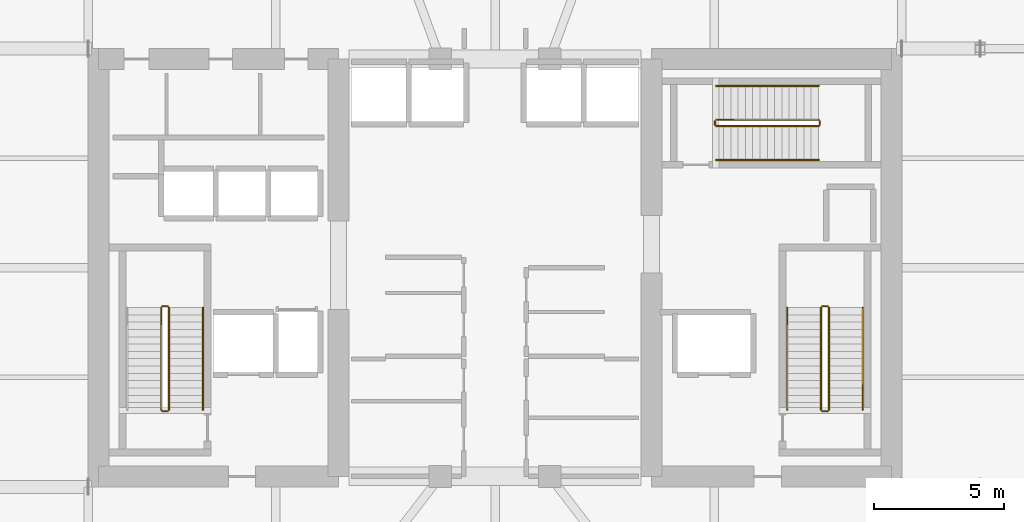
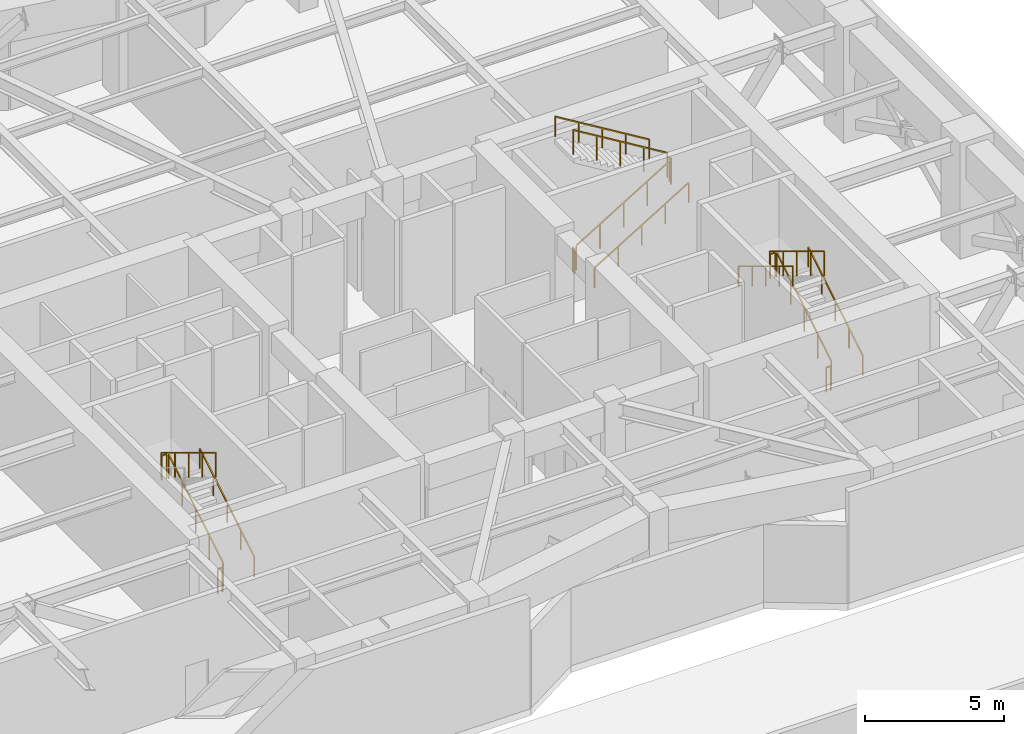
# One storey, part 16 of 16: 17 railings.
"""IFC4 building model written with IfcOpenShell, lengths in metres."""

from ifc_helpers import new_model, si_unit, direction, frame, origin, origin_2d, place, context, subcontext, project, spatial, rectangle, extrude, material, type_object, element, save


model = new_model("IFC4")

# Units and contexts
model_context = context("Model", 3, precision=1e-05, world=origin(), true_north=direction((0.0, 1.0)))
body_context = subcontext(model_context, "Body", "Model", "MODEL_VIEW")
ifc_project = project(units=[si_unit("LENGTHUNIT", "METRE"), si_unit("AREAUNIT", "SQUARE_METRE"), si_unit("VOLUMEUNIT", "CUBIC_METRE"), si_unit("PLANEANGLEUNIT", "RADIAN"), si_unit("MASSUNIT", "GRAM", prefix="KILO")], contexts=[model_context])

# Site, building, storey
site_placement = place(None, origin())
site = spatial("IfcSite", under=ifc_project, at=site_placement, CompositionType="ELEMENT")
building_placement = place(site_placement, origin())
building = spatial("IfcBuilding", under=site, at=building_placement, Name="Kiyonajd Concourse Tower", CompositionType="ELEMENT")
storey_placement = place(building_placement, frame((0.0, 0.0, 145.5)))
storey = spatial("IfcBuildingStorey", under=building, at=storey_placement, Name="L37", CompositionType="ELEMENT", Elevation=145.5)

# Railings
ifc_material_1 = material(Name="Steel ASTM A500 Grade C", Category="steel")
railing_type_1 = type_object("IfcRailingType", Name="RL-GRD-STR", PredefinedType="GUARDRAIL", material=ifc_material_1)
railing_1_placement = place(storey_placement, frame((35.5, 30.550048828125, 0.169921875)))
element("IfcRailing", 1, at=railing_1_placement, inside=storey, type_object=railing_type_1, Name="L37 ST1 stair guard 1", PredefinedType="GUARDRAIL", context=body_context, shape_type="SweptSolid", body=[
    extrude(rectangle(XDim=0.048095703125, YDim=0.048095703125, at=origin_2d()), frame((0.0, 0.0, 1.076171875), z_axis=(0.0, 0.854770645689, 0.519005918337), x_axis=(-1.0, 0.0, 0.0)), (0.0, 0.0, 1.0), 4.5859375),
    extrude(rectangle(XDim=0.0419921875, YDim=0.0419921875, at=origin_2d()), origin(), (0.0, 0.0, 1.0), 1.052001953125),
    extrude(rectangle(XDim=0.0419921875, YDim=0.0419921875, at=origin_2d()), frame((0.0, 0.97998046875, 0.594970703125)), (0.0, 0.0, 1.0), 1.052001953125),
    extrude(rectangle(XDim=0.0419921875, YDim=0.0419921875, at=origin_2d()), frame((0.0, 1.9599609375, 1.18994140625)), (0.0, 0.0, 1.0), 1.052001953125),
    extrude(rectangle(XDim=0.0419921875, YDim=0.0419921875, at=origin_2d()), frame((0.0, 2.93994140625, 1.78515625)), (0.0, 0.0, 1.0), 1.052001953125),
    extrude(rectangle(XDim=0.0419921875, YDim=0.0419921875, at=origin_2d()), frame((0.0, 3.919921875, 2.380126953125)), (0.0, 0.0, 1.0), 1.052001953125),
])
railing_2_placement = place(storey_placement, frame((35.449951171875, 34.52001953125, 2.550048828125)))
element("IfcRailing", 2, at=railing_2_placement, inside=storey, type_object=railing_type_1, Name="L37 ST1 stair guard 2", PredefinedType="GUARDRAIL", context=body_context, shape_type="SweptSolid", body=[
    extrude(rectangle(XDim=0.048095703125, YDim=0.048095703125, at=origin_2d()), frame((0.0, 0.0, 1.076171875), z_axis=(-1.0, 0.0, 0.0), x_axis=(0.0, -1.0, 0.0)), (0.0, 0.0, 1.0), 0.199951171875),
    extrude(rectangle(XDim=0.0419921875, YDim=0.0419921875, at=origin_2d()), origin(), (0.0, 0.0, 1.0), 1.052001953125),
    extrude(rectangle(XDim=0.0419921875, YDim=0.0419921875, at=origin_2d()), frame((-0.199951171875, 0.0, 0.0)), (0.0, 0.0, 1.0), 1.052001953125),
])
railing_3_placement = place(storey_placement, frame((35.199951171875, 34.469970703125, 2.719970703125)))
element("IfcRailing", 3, at=railing_3_placement, inside=storey, type_object=railing_type_1, Name="L37 ST1 stair guard 3", PredefinedType="GUARDRAIL", context=body_context, shape_type="SweptSolid", body=[
    extrude(rectangle(XDim=0.048095703125, YDim=0.048095703125, at=origin_2d()), frame((0.0, 0.0, 1.076171875), z_axis=(0.0, -0.854770645689, 0.519005918337), x_axis=(1.0, 0.0, 0.0)), (0.0, 0.0, 1.0), 4.5859375),
    extrude(rectangle(XDim=0.0419921875, YDim=0.0419921875, at=origin_2d()), origin(), (0.0, 0.0, 1.0), 1.052001953125),
    extrude(rectangle(XDim=0.0419921875, YDim=0.0419921875, at=origin_2d()), frame((0.0, -0.97998046875, 0.594970703125)), (0.0, 0.0, 1.0), 1.052001953125),
    extrude(rectangle(XDim=0.0419921875, YDim=0.0419921875, at=origin_2d()), frame((0.0, -1.9599609375, 1.18994140625)), (0.0, 0.0, 1.0), 1.052001953125),
    extrude(rectangle(XDim=0.0419921875, YDim=0.0419921875, at=origin_2d()), frame((0.0, -2.93994140625, 1.78515625)), (0.0, 0.0, 1.0), 1.052001953125),
    extrude(rectangle(XDim=0.0419921875, YDim=0.0419921875, at=origin_2d()), frame((0.0, -3.919921875, 2.380126953125)), (0.0, 0.0, 1.0), 1.052001953125),
])
railing_4_placement = place(storey_placement, frame((35.449951171875, 30.5, 0.0)))
element("IfcRailing", 4, at=railing_4_placement, inside=storey, type_object=railing_type_1, Name="L37 ST1 stair guard 4", PredefinedType="GUARDRAIL", context=body_context, shape_type="SweptSolid", body=[
    extrude(rectangle(XDim=0.048095703125, YDim=0.048095703125, at=origin_2d()), frame((0.0, 0.0, 1.076171875), z_axis=(-1.0, 0.0, 0.0), x_axis=(0.0, -1.0, 0.0)), (0.0, 0.0, 1.0), 0.199951171875),
    extrude(rectangle(XDim=0.0419921875, YDim=0.0419921875, at=origin_2d()), origin(), (0.0, 0.0, 1.0), 1.052001953125),
    extrude(rectangle(XDim=0.0419921875, YDim=0.0419921875, at=origin_2d()), frame((-0.199951171875, 0.0, 0.0)), (0.0, 0.0, 1.0), 1.052001953125),
])
railing_5_placement = place(storey_placement, frame((60.800048828125, 30.550048828125, 0.169921875)))
element("IfcRailing", 5, at=railing_5_placement, inside=storey, type_object=railing_type_1, Name="L37 ST2 stair guard 1", PredefinedType="GUARDRAIL", context=body_context, shape_type="SweptSolid", body=[
    extrude(rectangle(XDim=0.048095703125, YDim=0.048095703125, at=origin_2d()), frame((0.0, 0.0, 1.076171875), z_axis=(0.0, 0.854770645689, 0.519005918337), x_axis=(-1.0, 0.0, 0.0)), (0.0, 0.0, 1.0), 4.5859375),
    extrude(rectangle(XDim=0.0419921875, YDim=0.0419921875, at=origin_2d()), origin(), (0.0, 0.0, 1.0), 1.052001953125),
    extrude(rectangle(XDim=0.0419921875, YDim=0.0419921875, at=origin_2d()), frame((0.0, 0.97998046875, 0.594970703125)), (0.0, 0.0, 1.0), 1.052001953125),
    extrude(rectangle(XDim=0.0419921875, YDim=0.0419921875, at=origin_2d()), frame((0.0, 1.9599609375, 1.18994140625)), (0.0, 0.0, 1.0), 1.052001953125),
    extrude(rectangle(XDim=0.0419921875, YDim=0.0419921875, at=origin_2d()), frame((0.0, 2.93994140625, 1.78515625)), (0.0, 0.0, 1.0), 1.052001953125),
    extrude(rectangle(XDim=0.0419921875, YDim=0.0419921875, at=origin_2d()), frame((0.0, 3.919921875, 2.380126953125)), (0.0, 0.0, 1.0), 1.052001953125),
])
railing_6_placement = place(storey_placement, frame((60.75, 34.52001953125, 2.550048828125)))
element("IfcRailing", 6, at=railing_6_placement, inside=storey, type_object=railing_type_1, Name="L37 ST2 stair guard 2", PredefinedType="GUARDRAIL", context=body_context, shape_type="SweptSolid", body=[
    extrude(rectangle(XDim=0.048095703125, YDim=0.048095703125, at=origin_2d()), frame((0.0, 0.0, 1.076171875), z_axis=(-1.0, 0.0, 0.0), x_axis=(0.0, -1.0, 0.0)), (0.0, 0.0, 1.0), 0.199951171875),
    extrude(rectangle(XDim=0.0419921875, YDim=0.0419921875, at=origin_2d()), origin(), (0.0, 0.0, 1.0), 1.052001953125),
    extrude(rectangle(XDim=0.0419921875, YDim=0.0419921875, at=origin_2d()), frame((-0.199951171875, 0.0, 0.0)), (0.0, 0.0, 1.0), 1.052001953125),
])
railing_7_placement = place(storey_placement, frame((60.5, 34.469970703125, 2.719970703125)))
element("IfcRailing", 7, at=railing_7_placement, inside=storey, type_object=railing_type_1, Name="L37 ST2 stair guard 3", PredefinedType="GUARDRAIL", context=body_context, shape_type="SweptSolid", body=[
    extrude(rectangle(XDim=0.048095703125, YDim=0.048095703125, at=origin_2d()), frame((0.0, 0.0, 1.076171875), z_axis=(0.0, -0.854770645689, 0.519005918337), x_axis=(1.0, 0.0, 0.0)), (0.0, 0.0, 1.0), 4.5859375),
    extrude(rectangle(XDim=0.0419921875, YDim=0.0419921875, at=origin_2d()), origin(), (0.0, 0.0, 1.0), 1.052001953125),
    extrude(rectangle(XDim=0.0419921875, YDim=0.0419921875, at=origin_2d()), frame((0.0, -0.97998046875, 0.594970703125)), (0.0, 0.0, 1.0), 1.052001953125),
    extrude(rectangle(XDim=0.0419921875, YDim=0.0419921875, at=origin_2d()), frame((0.0, -1.9599609375, 1.18994140625)), (0.0, 0.0, 1.0), 1.052001953125),
    extrude(rectangle(XDim=0.0419921875, YDim=0.0419921875, at=origin_2d()), frame((0.0, -2.93994140625, 1.78515625)), (0.0, 0.0, 1.0), 1.052001953125),
    extrude(rectangle(XDim=0.0419921875, YDim=0.0419921875, at=origin_2d()), frame((0.0, -3.919921875, 2.380126953125)), (0.0, 0.0, 1.0), 1.052001953125),
])
railing_8_placement = place(storey_placement, frame((60.75, 30.5, 0.0)))
element("IfcRailing", 8, at=railing_8_placement, inside=storey, type_object=railing_type_1, Name="L37 ST2 stair guard 4", PredefinedType="GUARDRAIL", context=body_context, shape_type="SweptSolid", body=[
    extrude(rectangle(XDim=0.048095703125, YDim=0.048095703125, at=origin_2d()), frame((0.0, 0.0, 1.076171875), z_axis=(-1.0, 0.0, 0.0), x_axis=(0.0, -1.0, 0.0)), (0.0, 0.0, 1.0), 0.199951171875),
    extrude(rectangle(XDim=0.0419921875, YDim=0.0419921875, at=origin_2d()), origin(), (0.0, 0.0, 1.0), 1.052001953125),
    extrude(rectangle(XDim=0.0419921875, YDim=0.0419921875, at=origin_2d()), frame((-0.199951171875, 0.0, 0.0)), (0.0, 0.0, 1.0), 1.052001953125),
])
railing_9_placement = place(storey_placement, frame((56.47998046875, 41.429931640625, 0.169921875)))
element("IfcRailing", 9, at=railing_9_placement, inside=storey, type_object=railing_type_1, Name="L37 ST3 stair guard 1", PredefinedType="GUARDRAIL", context=body_context, shape_type="SweptSolid", body=[
    extrude(rectangle(XDim=0.048095703125, YDim=0.048095703125, at=origin_2d()), frame((0.0, 0.0, 1.076171875), z_axis=(0.854770645689, 0.0, 0.519005918337), x_axis=(0.0, 1.0, 0.0)), (0.0, 0.0, 1.0), 4.5859375),
    extrude(rectangle(XDim=0.0419921875, YDim=0.0419921875, at=origin_2d()), origin(), (0.0, 0.0, 1.0), 1.052001953125),
    extrude(rectangle(XDim=0.0419921875, YDim=0.0419921875, at=origin_2d()), frame((0.97998046875, 0.0, 0.594970703125)), (0.0, 0.0, 1.0), 1.052001953125),
    extrude(rectangle(XDim=0.0419921875, YDim=0.0419921875, at=origin_2d()), frame((1.9599609375, 0.0, 1.18994140625)), (0.0, 0.0, 1.0), 1.052001953125),
    extrude(rectangle(XDim=0.0419921875, YDim=0.0419921875, at=origin_2d()), frame((2.93994140625, 0.0, 1.78515625)), (0.0, 0.0, 1.0), 1.052001953125),
    extrude(rectangle(XDim=0.0419921875, YDim=0.0419921875, at=origin_2d()), frame((3.919921875, 0.0, 2.380126953125)), (0.0, 0.0, 1.0), 1.052001953125),
])
railing_10_placement = place(storey_placement, frame((60.449951171875, 41.47998046875, 2.550048828125)))
element("IfcRailing", 10, at=railing_10_placement, inside=storey, type_object=railing_type_1, Name="L37 ST3 stair guard 2", PredefinedType="GUARDRAIL", context=body_context, shape_type="SweptSolid", body=[
    extrude(rectangle(XDim=0.048095703125, YDim=0.048095703125, at=origin_2d()), frame((0.0, 0.0, 1.076171875), z_axis=(0.0, 1.0, 0.0), x_axis=(-1.0, 0.0, 0.0)), (0.0, 0.0, 1.0), 0.14013671875),
    extrude(rectangle(XDim=0.0419921875, YDim=0.0419921875, at=origin_2d()), origin(), (0.0, 0.0, 1.0), 1.052001953125),
    extrude(rectangle(XDim=0.0419921875, YDim=0.0419921875, at=origin_2d()), frame((0.0, 0.14013671875, 0.0)), (0.0, 0.0, 1.0), 1.052001953125),
])
railing_11_placement = place(storey_placement, frame((60.39990234375, 41.669921875, 2.719970703125)))
element("IfcRailing", 11, at=railing_11_placement, inside=storey, type_object=railing_type_1, Name="L37 ST3 stair guard 3", PredefinedType="GUARDRAIL", context=body_context, shape_type="SweptSolid", body=[
    extrude(rectangle(XDim=0.048095703125, YDim=0.048095703125, at=origin_2d()), frame((0.0, 0.0, 1.076171875), z_axis=(-0.854770645689, 0.0, 0.519005918337), x_axis=(0.0, -1.0, 0.0)), (0.0, 0.0, 1.0), 4.5859375),
    extrude(rectangle(XDim=0.0419921875, YDim=0.0419921875, at=origin_2d()), origin(), (0.0, 0.0, 1.0), 1.052001953125),
    extrude(rectangle(XDim=0.0419921875, YDim=0.0419921875, at=origin_2d()), frame((-0.97998046875, 0.0, 0.594970703125)), (0.0, 0.0, 1.0), 1.052001953125),
    extrude(rectangle(XDim=0.0419921875, YDim=0.0419921875, at=origin_2d()), frame((-1.9599609375, 0.0, 1.18994140625)), (0.0, 0.0, 1.0), 1.052001953125),
    extrude(rectangle(XDim=0.0419921875, YDim=0.0419921875, at=origin_2d()), frame((-2.93994140625, 0.0, 1.78515625)), (0.0, 0.0, 1.0), 1.052001953125),
    extrude(rectangle(XDim=0.0419921875, YDim=0.0419921875, at=origin_2d()), frame((-3.919921875, 0.0, 2.380126953125)), (0.0, 0.0, 1.0), 1.052001953125),
])
railing_12_placement = place(storey_placement, frame((56.429931640625, 41.47998046875, 0.0)))
element("IfcRailing", 12, at=railing_12_placement, inside=storey, type_object=railing_type_1, Name="L37 ST3 stair guard 4", PredefinedType="GUARDRAIL", context=body_context, shape_type="SweptSolid", body=[
    extrude(rectangle(XDim=0.048095703125, YDim=0.048095703125, at=origin_2d()), frame((0.0, 0.0, 1.076171875), z_axis=(0.0, 1.0, 0.0), x_axis=(-1.0, 0.0, 0.0)), (0.0, 0.0, 1.0), 0.14013671875),
    extrude(rectangle(XDim=0.0419921875, YDim=0.0419921875, at=origin_2d()), origin(), (0.0, 0.0, 1.0), 1.052001953125),
    extrude(rectangle(XDim=0.0419921875, YDim=0.0419921875, at=origin_2d()), frame((0.0, 0.14013671875, 0.0)), (0.0, 0.0, 1.0), 1.052001953125),
])
ifc_material_2 = material(Name="Brushed Stainless Steel Cab Assembly", Category="steel")
railing_type_2 = type_object("IfcRailingType", Name="RL-HND-900", PredefinedType="HANDRAIL", material=ifc_material_2)
for number, where, name in (
    (13, (36.800048828125, 30.550048828125, 0.169921875), "L37 ST1 stair handrail 1"),
    (14, (62.10009765625, 30.550048828125, 0.169921875), "L37 ST2 stair handrail 1"),
):
    element("IfcRailing", number, at=place(storey_placement, frame(where)), inside=storey, type_object=railing_type_2, Name=name, PredefinedType="HANDRAIL", context=body_context, shape_type="SweptSolid", body=[
        extrude(rectangle(XDim=0.048095703125, YDim=0.048095703125, at=origin_2d()), frame((0.0, 0.0, 0.8759765625), z_axis=(0.0, 0.854770645689, 0.519005918337), x_axis=(-1.0, 0.0, 0.0)), (0.0, 0.0, 1.0), 4.5859375),
        extrude(rectangle(XDim=0.0419921875, YDim=0.0419921875, at=origin_2d()), origin(), (0.0, 0.0, 1.0), 0.851806640625),
        extrude(rectangle(XDim=0.0419921875, YDim=0.0419921875, at=origin_2d()), frame((0.0, 0.97998046875, 0.594970703125)), (0.0, 0.0, 1.0), 0.851806640625),
        extrude(rectangle(XDim=0.0419921875, YDim=0.0419921875, at=origin_2d()), frame((0.0, 1.9599609375, 1.18994140625)), (0.0, 0.0, 1.0), 0.851806640625),
        extrude(rectangle(XDim=0.0419921875, YDim=0.0419921875, at=origin_2d()), frame((0.0, 2.93994140625, 1.78515625)), (0.0, 0.0, 1.0), 0.851806640625),
        extrude(rectangle(XDim=0.0419921875, YDim=0.0419921875, at=origin_2d()), frame((0.0, 3.919921875, 2.380126953125)), (0.0, 0.0, 1.0), 0.851806640625),
    ])
railing_13_placement = place(storey_placement, frame((59.199951171875, 34.469970703125, 2.719970703125)))
element("IfcRailing", 15, at=railing_13_placement, inside=storey, type_object=railing_type_2, Name="L37 ST2 stair handrail 2", PredefinedType="HANDRAIL", context=body_context, shape_type="SweptSolid", body=[
    extrude(rectangle(XDim=0.048095703125, YDim=0.048095703125, at=origin_2d()), frame((0.0, 0.0, 0.8759765625), z_axis=(0.0, -0.854770645689, 0.519005918337), x_axis=(1.0, 0.0, 0.0)), (0.0, 0.0, 1.0), 4.5859375),
    extrude(rectangle(XDim=0.0419921875, YDim=0.0419921875, at=origin_2d()), origin(), (0.0, 0.0, 1.0), 0.851806640625),
    extrude(rectangle(XDim=0.0419921875, YDim=0.0419921875, at=origin_2d()), frame((0.0, -0.97998046875, 0.594970703125)), (0.0, 0.0, 1.0), 0.851806640625),
    extrude(rectangle(XDim=0.0419921875, YDim=0.0419921875, at=origin_2d()), frame((0.0, -1.9599609375, 1.18994140625)), (0.0, 0.0, 1.0), 0.851806640625),
    extrude(rectangle(XDim=0.0419921875, YDim=0.0419921875, at=origin_2d()), frame((0.0, -2.93994140625, 1.78515625)), (0.0, 0.0, 1.0), 0.851806640625),
    extrude(rectangle(XDim=0.0419921875, YDim=0.0419921875, at=origin_2d()), frame((0.0, -3.919921875, 2.380126953125)), (0.0, 0.0, 1.0), 0.851806640625),
])
railing_14_placement = place(storey_placement, frame((56.47998046875, 40.1298828125, 0.169921875)))
element("IfcRailing", 16, at=railing_14_placement, inside=storey, type_object=railing_type_2, Name="L37 ST3 stair handrail 1", PredefinedType="HANDRAIL", context=body_context, shape_type="SweptSolid", body=[
    extrude(rectangle(XDim=0.048095703125, YDim=0.048095703125, at=origin_2d()), frame((0.0, 0.0, 0.8759765625), z_axis=(0.854770645689, 0.0, 0.519005918337), x_axis=(0.0, 1.0, 0.0)), (0.0, 0.0, 1.0), 4.5859375),
    extrude(rectangle(XDim=0.0419921875, YDim=0.0419921875, at=origin_2d()), origin(), (0.0, 0.0, 1.0), 0.851806640625),
    extrude(rectangle(XDim=0.0419921875, YDim=0.0419921875, at=origin_2d()), frame((0.97998046875, 0.0, 0.594970703125)), (0.0, 0.0, 1.0), 0.851806640625),
    extrude(rectangle(XDim=0.0419921875, YDim=0.0419921875, at=origin_2d()), frame((1.9599609375, 0.0, 1.18994140625)), (0.0, 0.0, 1.0), 0.851806640625),
    extrude(rectangle(XDim=0.0419921875, YDim=0.0419921875, at=origin_2d()), frame((2.93994140625, 0.0, 1.78515625)), (0.0, 0.0, 1.0), 0.851806640625),
    extrude(rectangle(XDim=0.0419921875, YDim=0.0419921875, at=origin_2d()), frame((3.919921875, 0.0, 2.380126953125)), (0.0, 0.0, 1.0), 0.851806640625),
])
railing_15_placement = place(storey_placement, frame((60.39990234375, 42.969970703125, 2.719970703125)))
element("IfcRailing", 17, at=railing_15_placement, inside=storey, type_object=railing_type_2, Name="L37 ST3 stair handrail 2", PredefinedType="HANDRAIL", context=body_context, shape_type="SweptSolid", body=[
    extrude(rectangle(XDim=0.048095703125, YDim=0.048095703125, at=origin_2d()), frame((0.0, 0.0, 0.8759765625), z_axis=(-0.854770645689, 0.0, 0.519005918337), x_axis=(0.0, -1.0, 0.0)), (0.0, 0.0, 1.0), 4.5859375),
    extrude(rectangle(XDim=0.0419921875, YDim=0.0419921875, at=origin_2d()), origin(), (0.0, 0.0, 1.0), 0.851806640625),
    extrude(rectangle(XDim=0.0419921875, YDim=0.0419921875, at=origin_2d()), frame((-0.97998046875, 0.0, 0.594970703125)), (0.0, 0.0, 1.0), 0.851806640625),
    extrude(rectangle(XDim=0.0419921875, YDim=0.0419921875, at=origin_2d()), frame((-1.9599609375, 0.0, 1.18994140625)), (0.0, 0.0, 1.0), 0.851806640625),
    extrude(rectangle(XDim=0.0419921875, YDim=0.0419921875, at=origin_2d()), frame((-2.93994140625, 0.0, 1.78515625)), (0.0, 0.0, 1.0), 0.851806640625),
    extrude(rectangle(XDim=0.0419921875, YDim=0.0419921875, at=origin_2d()), frame((-3.919921875, 0.0, 2.380126953125)), (0.0, 0.0, 1.0), 0.851806640625),
])

save(model, "model.ifc")
